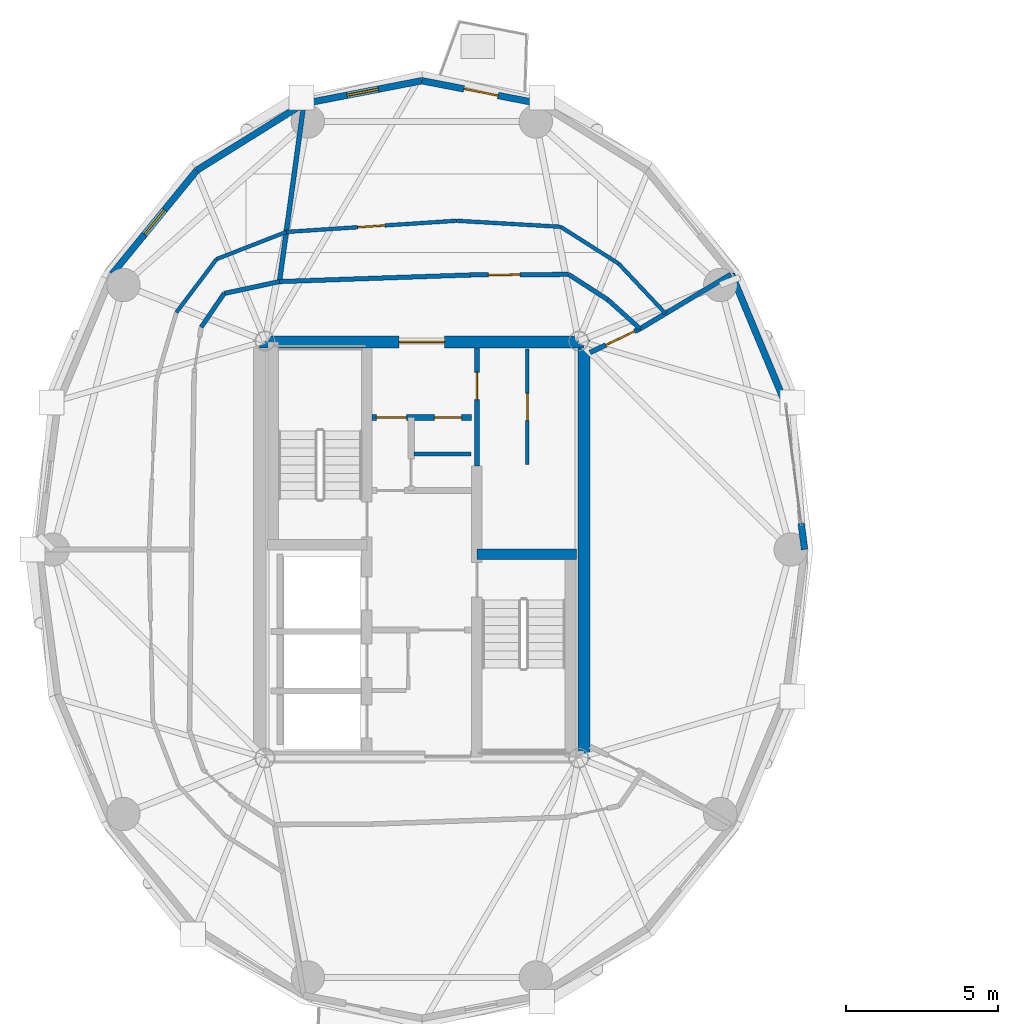
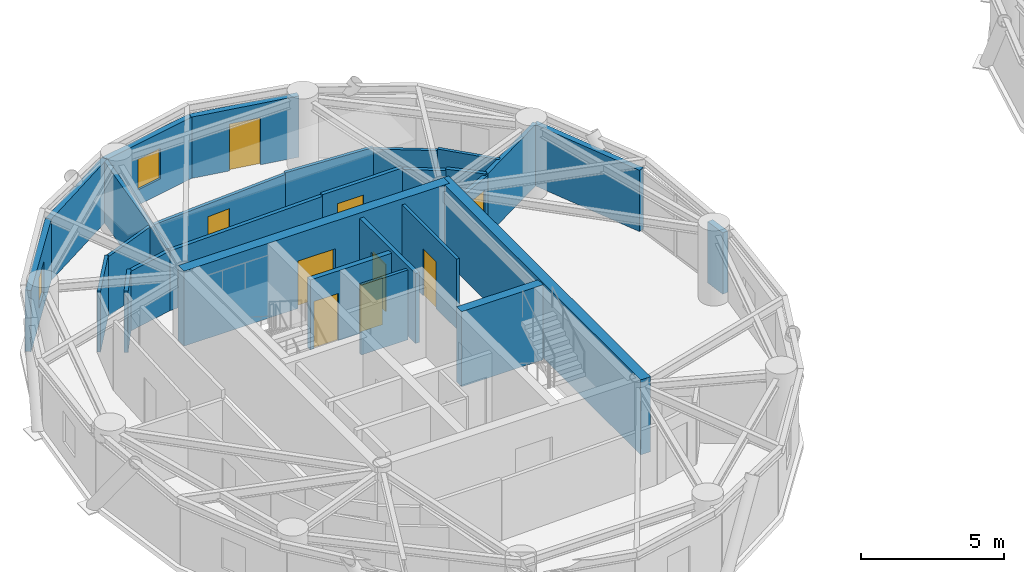
# One storey, part 9 of 16: 28 walls, 9 doors, 2 windows, 11 openings.
"""IFC4 building model written with IfcOpenShell, lengths in metres."""

from ifc_helpers import new_model, si_unit, direction, frame, frame_2d, origin, place, context, subcontext, project, spatial, rectangle, extrude, source, transform, mapped, material, layer, layer_set, type_object, element, fill, save


model = new_model("IFC4")

# Units and contexts
model_context = context("Model", 3, precision=1e-05, world=origin(), true_north=direction((0.0, 1.0)))
body_context = subcontext(model_context, "Body", "Model", "MODEL_VIEW")
ifc_project = project(units=[si_unit("LENGTHUNIT", "METRE"), si_unit("AREAUNIT", "SQUARE_METRE"), si_unit("VOLUMEUNIT", "CUBIC_METRE"), si_unit("PLANEANGLEUNIT", "RADIAN"), si_unit("MASSUNIT", "GRAM", prefix="KILO")], contexts=[model_context])

# Site, building, storey
site_placement = place(None, origin())
site = spatial("IfcSite", under=ifc_project, at=site_placement, CompositionType="ELEMENT")
building_placement = place(site_placement, origin())
building = spatial("IfcBuilding", under=site, at=building_placement, Name="Cununo Teusaquillo Station Towers", CompositionType="ELEMENT")
storey_placement = place(building_placement, frame((0.0, 0.0, 226.050048828125)))
storey = spatial("IfcBuildingStorey", under=building, at=storey_placement, Name="L72", CompositionType="ELEMENT", Elevation=226.050048828125)

# Walls
ifc_material_1 = material(Name="Concrete C50/60", Category="concrete")
ifc_layer_1 = layer(ifc_material_1, 0.35009765625)
ifc_layer_set_1 = layer_set([ifc_layer_1], Name="Concrete C50/60")
wall_type_1 = type_object("IfcWallType", Name="WL-CORE-350", PredefinedType="SHEAR", material=ifc_layer_set_1)
wall_1_placement = place(storey_placement, frame((18.31494140625, 24.344970703125, 0.0), z_axis=(0.0, 0.0, 1.0), x_axis=(1.0, 0.0, 0.0)))
element("IfcWall", 1, at=wall_1_placement, inside=storey, type_object=wall_type_1, Name="L72 Tower A Core Shear Wall ST2N", PredefinedType="SHEAR", context=body_context, shape_type="SweptSolid", body=[
    extrude(rectangle(XDim=3.28515625, YDim=0.35009765625, at=frame_2d((1.642578125, 0.0))), origin(), (0.0, 0.0, 1.0), 3.199951171875),
])
ifc_material_2 = material(Name="Concrete C50/60", Category="concrete")
ifc_layer_2 = layer(ifc_material_2, 0.39990234375)
ifc_layer_set_2 = layer_set([ifc_layer_2], Name="Concrete C50/60")
wall_type_2 = type_object("IfcWallType", Name="WL-CORE-400", PredefinedType="SHEAR", material=ifc_layer_set_2)
wall_2_placement = place(storey_placement, frame((21.85009765625, 17.449951171875, 0.0), z_axis=(0.0, 0.0, 1.0), x_axis=(0.0, 1.0, 0.0)))
element("IfcWall", 2, at=wall_2_placement, inside=storey, type_object=wall_type_2, Name="L72 Tower A Core Shear Wall E", PredefinedType="SHEAR", context=body_context, shape_type="SweptSolid", body=[
    extrude(rectangle(XDim=14.10009765625, YDim=0.39990234375, at=frame_2d((7.050048828125, 0.0))), origin(), (0.0, 0.0, 1.0), 3.199951171875),
])

# Wall, opening, door
wall_3_placement = place(storey_placement, frame((11.14990234375, 31.35009765625, 0.0), z_axis=(0.0, 0.0, 1.0), x_axis=(1.0, 0.0, 0.0)))
wall_3 = element("IfcWall", 3, at=wall_3_placement, inside=storey, type_object=wall_type_2, Name="L72 Tower A Core Shear Wall N", PredefinedType="SHEAR", context=body_context, shape_type="SweptSolid", body=[
    extrude(rectangle(XDim=10.7001953125, YDim=0.39990234375, at=frame_2d((5.35009765625, 0.0))), origin(), (0.0, 0.0, 1.0), 3.199951171875),
])
shared_shape_1 = source(origin(), body_context, "Body", "SweptSolid", [
    extrude(rectangle(XDim=1.5, YDim=2.02001953125, at=frame_2d((0.75, 1.010009765625))), frame((0.0, 0.2099609375, 0.0), z_axis=(0.0, -1.0, 0.0), x_axis=(1.0, 0.0, 0.0)), (0.0, 0.0, 1.0), 0.419921875),
])
opening_1_placement = place(wall_3_placement, frame((4.60009765625, 0.0, 0.0)))
opening_1 = element("IfcOpeningElement", 4, at=opening_1_placement, cuts=wall_3, Name="Opening D-LB1", PredefinedType="OPENING", context=body_context, shape_type="MappedRepresentation", body=[
    mapped(shared_shape_1, transform((0.0, 0.0, 0.0), x_axis=(1.0, 0.0, 0.0), y_axis=(0.0, 1.0, 0.0), z_axis=(0.0, 0.0, 1.0), scale=1.0)),
])
ifc_material_3 = material(Name="Galvanised fire-rated hollow steel door assembly", Category="steel")
door_type_1 = type_object("IfcDoorType", Name="DR-LOBBY-1500", OperationType="DOUBLE_DOOR_SINGLE_SWING", PredefinedType="DOOR", material=ifc_material_3)
shared_shape_2 = source(origin(), body_context, "Body", "SweptSolid", [
    extrude(rectangle(XDim=1.5, YDim=2.02001953125, at=frame_2d((0.75, 1.010009765625))), frame((0.0, 0.02490234375, 0.0), z_axis=(0.0, -1.0, 0.0), x_axis=(1.0, 0.0, 0.0)), (0.0, 0.0, 1.0), 0.050048828125),
])
door_1_placement = place(opening_1_placement, origin())
door_1 = element("IfcDoor", 5, at=door_1_placement, inside=storey, type_object=door_type_1, Name="L72 Tower A North Core Lift Lobby Door", OperationType="DOUBLE_DOOR_SINGLE_SWING", OverallHeight=2.02001953125, OverallWidth=1.5, PredefinedType="DOOR", context=body_context, shape_type="MappedRepresentation", body=[
    mapped(shared_shape_2, transform((0.0, 0.0, 0.0), x_axis=(1.0, 0.0, 0.0), y_axis=(0.0, 1.0, 0.0), z_axis=(0.0, 0.0, 1.0), scale=1.0)),
])
fill(opening_1, door_1)

# Walls
ifc_material_4 = material(Name="Precast concrete C40/50", Category="concrete")
ifc_layer_3 = layer(ifc_material_4, 0.219970703125)
ifc_layer_set_3 = layer_set([ifc_layer_3], Name="Precast concrete C40/50")
wall_type_3 = type_object("IfcWallType", Name="WL-EXT-220", PredefinedType="SOLIDWALL", material=ifc_layer_set_3)
wall_4_placement = place(storey_placement, frame((29.018310546875, 25.36279296875, 0.0), z_axis=(0.0, 0.0, 1.0), x_axis=(0.128247365719, -0.991742211054, 0.0)))
element("IfcWall", 6, at=wall_4_placement, inside=storey, type_object=wall_type_3, Name="L72 Tower A Column Pier Cladding Wall C00-PB", PredefinedType="SOLIDWALL", context=body_context, shape_type="SweptSolid", body=[
    extrude(rectangle(XDim=0.869873046875, YDim=0.219970703125, at=frame_2d((0.43505859375, 0.0))), origin(), (0.0, 0.0, 1.0), 2.612060546875),
])
wall_5_placement = place(storey_placement, frame((26.718017578125, 33.593017578125, 0.0), z_axis=(0.0, 0.0, 1.0), x_axis=(0.384036305194, -0.923317993052, 0.0)))
element("IfcWall", 7, at=wall_5_placement, inside=storey, type_object=wall_type_3, Name="L72 Tower A Exterior Facade Wall C01", PredefinedType="SOLIDWALL", context=body_context, shape_type="SweptSolid", body=[
    extrude(rectangle(XDim=4.670654296875, YDim=0.219970703125, at=frame_2d((2.33544921875, 0.0))), origin(), (0.0, 0.0, 1.0), 2.612060546875),
])

# Wall, opening, door
wall_6_placement = place(storey_placement, frame((16.5, 39.969970703125, 0.0), z_axis=(0.0, 0.0, 1.0), x_axis=(0.981700307484, -0.190432419211, 0.0)))
wall_6 = element("IfcWall", 8, at=wall_6_placement, inside=storey, type_object=wall_type_3, Name="L72 Tower A Exterior Facade Wall C04", PredefinedType="SOLIDWALL", context=body_context, shape_type="SweptSolid", body=[
    extrude(rectangle(XDim=3.9755859375, YDim=0.219970703125, at=frame_2d((1.98779296875, 0.0))), origin(), (0.0, 0.0, 1.0), 2.612060546875),
])
shared_shape_3 = source(origin(), body_context, "Body", "SweptSolid", [
    extrude(rectangle(XDim=1.14990234375, YDim=2.0048828125, at=frame_2d((0.574951171875, 1.00244140625))), frame((0.0, 0.119873046875, 0.0), z_axis=(0.0, -1.0, 0.0), x_axis=(1.0, 0.0, 0.0)), (0.0, 0.0, 1.0), 0.239990234375),
])
opening_2_placement = place(wall_6_placement, frame((1.4130859375, 0.0, 0.0)))
opening_2 = element("IfcOpeningElement", 9, at=opening_2_placement, cuts=wall_6, Name="Opening ED-03", PredefinedType="OPENING", context=body_context, shape_type="MappedRepresentation", body=[
    mapped(shared_shape_3, transform((0.0, 0.0, 0.0), x_axis=(1.0, 0.0, 0.0), y_axis=(0.0, 1.0, 0.0), z_axis=(0.0, 0.0, 1.0), scale=1.0)),
])
ifc_material_5 = material(Name="Anodised dark bronze aluminium EN AW-6063-T6", Category="aluminium")
door_type_2 = type_object("IfcDoorType", Name="DR-EXT-BAL", OperationType="NOTDEFINED", PredefinedType="DOOR", material=ifc_material_5)
shared_shape_4 = source(origin(), body_context, "Body", "SweptSolid", [
    extrude(rectangle(XDim=1.14990234375, YDim=2.0048828125, at=frame_2d((0.574951171875, 1.00244140625))), frame((0.0, 0.02490234375, 0.0), z_axis=(0.0, -1.0, 0.0), x_axis=(1.0, 0.0, 0.0)), (0.0, 0.0, 1.0), 0.050048828125),
])
door_2_placement = place(opening_2_placement, origin())
door_2 = element("IfcDoor", 10, at=door_2_placement, inside=storey, type_object=door_type_2, Name="L72 Tower A Tree Balcony Door C04", OperationType="SINGLE_SWING_LEFT", OverallHeight=2.0048828125, OverallWidth=1.14990234375, PredefinedType="DOOR", context=body_context, shape_type="MappedRepresentation", body=[
    mapped(shared_shape_4, transform((0.0, 0.0, 0.0), x_axis=(1.0, 0.0, 0.0), y_axis=(0.0, 1.0, 0.0), z_axis=(0.0, 0.0, 1.0), scale=1.0)),
])
fill(opening_2, door_2)

# Wall, opening, window
wall_7_placement = place(storey_placement, frame((12.59716796875, 39.212890625, 0.0), z_axis=(0.0, 0.0, 1.0), x_axis=(0.981700307484, 0.190432419211, 0.0)))
wall_7 = element("IfcWall", 11, at=wall_7_placement, inside=storey, type_object=wall_type_3, Name="L72 Tower A Exterior Facade Wall C05", PredefinedType="SOLIDWALL", context=body_context, shape_type="SweptSolid", body=[
    extrude(rectangle(XDim=3.9755859375, YDim=0.219970703125, at=frame_2d((1.98779296875, 0.0))), origin(), (0.0, 0.0, 1.0), 2.612060546875),
])
shared_shape_5 = source(origin(), body_context, "Body", "SweptSolid", [
    extrude(rectangle(XDim=1.050048828125, YDim=1.300048828125, at=frame_2d((0.52490234375, 0.64990234375))), frame((0.0, 0.119873046875, 0.0), z_axis=(0.0, -1.0, 0.0), x_axis=(1.0, 0.0, 0.0)), (0.0, 0.0, 1.0), 0.239990234375),
])
opening_3_placement = place(wall_7_placement, frame((1.462890625, 0.0, 0.64990234375)))
opening_3 = element("IfcOpeningElement", 12, at=opening_3_placement, cuts=wall_7, Name="Opening WN-04", PredefinedType="OPENING", context=body_context, shape_type="MappedRepresentation", body=[
    mapped(shared_shape_5, transform((0.0, 0.0, 0.0), x_axis=(1.0, 0.0, 0.0), y_axis=(0.0, 1.0, 0.0), z_axis=(0.0, 0.0, 1.0), scale=1.0)),
])
ifc_material_6 = material(Name="Operable acoustic tinted low-E double glazing", Category="glass")
window_type = type_object("IfcWindowType", Name="WIN-BAL-1050", PartitioningType="SINGLE_PANEL", PredefinedType="WINDOW", material=ifc_material_6)
shared_shape_6 = source(origin(), body_context, "Body", "SweptSolid", [
    extrude(rectangle(XDim=1.050048828125, YDim=1.300048828125, at=frame_2d((0.52490234375, 0.64990234375))), frame((0.0, 0.030029296875, 0.0), z_axis=(0.0, -1.0, 0.0), x_axis=(1.0, 0.0, 0.0)), (0.0, 0.0, 1.0), 0.06005859375),
])
window_1_placement = place(opening_3_placement, origin())
window_1 = element("IfcWindow", 13, at=window_1_placement, inside=storey, type_object=window_type, Name="L72 Tower A Facade Window C05", OverallHeight=1.300048828125, OverallWidth=1.050048828125, PartitioningType="SINGLE_PANEL", PredefinedType="WINDOW", context=body_context, shape_type="MappedRepresentation", body=[
    mapped(shared_shape_6, transform((0.0, 0.0, 0.0), x_axis=(1.0, 0.0, 0.0), y_axis=(0.0, 1.0, 0.0), z_axis=(0.0, 0.0, 1.0), scale=1.0)),
])
fill(opening_3, window_1)

# Wall
wall_8_placement = place(storey_placement, frame((9.076416015625, 37.015380859375, 0.0), z_axis=(0.0, 0.0, 1.0), x_axis=(0.848318713376, 0.529485939886, 0.0)))
element("IfcWall", 14, at=wall_8_placement, inside=storey, type_object=wall_type_3, Name="L72 Tower A Exterior Facade Wall C06", PredefinedType="SOLIDWALL", context=body_context, shape_type="SweptSolid", body=[
    extrude(rectangle(XDim=4.150390625, YDim=0.219970703125, at=frame_2d((2.0751953125, 0.0))), origin(), (0.0, 0.0, 1.0), 2.612060546875),
])

# Wall, opening, window
wall_9_placement = place(storey_placement, frame((6.281982421875, 33.593017578125, 0.0), z_axis=(0.0, 0.0, 1.0), x_axis=(0.632467166636, 0.774587169483, 0.0)))
wall_9 = element("IfcWall", 15, at=wall_9_placement, inside=storey, type_object=wall_type_3, Name="L72 Tower A Exterior Facade Wall C07", PredefinedType="SOLIDWALL", context=body_context, shape_type="SweptSolid", body=[
    extrude(rectangle(XDim=4.418212890625, YDim=0.219970703125, at=frame_2d((2.208984375, 0.0))), origin(), (0.0, 0.0, 1.0), 2.612060546875),
])
opening_4_placement = place(wall_9_placement, frame((1.68408203125, 0.0, 0.64990234375)))
opening_4 = element("IfcOpeningElement", 16, at=opening_4_placement, cuts=wall_9, Name="Opening WN-04", PredefinedType="OPENING", context=body_context, shape_type="MappedRepresentation", body=[
    mapped(shared_shape_5, transform((0.0, 0.0, 0.0), x_axis=(1.0, 0.0, 0.0), y_axis=(0.0, 1.0, 0.0), z_axis=(0.0, 0.0, 1.0), scale=1.0)),
])
window_2_placement = place(opening_4_placement, origin())
window_2 = element("IfcWindow", 17, at=window_2_placement, inside=storey, type_object=window_type, Name="L72 Tower A Facade Window C07", OverallHeight=1.300048828125, OverallWidth=1.050048828125, PartitioningType="SINGLE_PANEL", PredefinedType="WINDOW", context=body_context, shape_type="MappedRepresentation", body=[
    mapped(shared_shape_6, transform((0.0, 0.0, 0.0), x_axis=(1.0, 0.0, 0.0), y_axis=(0.0, 1.0, 0.0), z_axis=(0.0, 0.0, 1.0), scale=1.0)),
])
fill(opening_4, window_2)

# Wall
ifc_material_7 = material(Name="Fire-rated gypsum plasterboard partition assembly", Category="gypsum")
ifc_layer_4 = layer(ifc_material_7, 0.125)
ifc_layer_set_4 = layer_set([ifc_layer_4], Name="Fire-rated gypsum plasterboard partition assembly")
wall_type_4 = type_object("IfcWallType", Name="WL-PART-125", PredefinedType="PARTITIONING", material=ifc_layer_set_4)
wall_10_placement = place(storey_placement, frame((16.239990234375, 27.64990234375, 0.0), z_axis=(0.0, 0.0, 1.0), x_axis=(1.0, 0.0, 0.0)))
element("IfcWall", 18, at=wall_10_placement, inside=storey, type_object=wall_type_4, Name="L72 Tower A Core Horizontal Split Wall", PredefinedType="PARTITIONING", context=body_context, shape_type="SweptSolid", body=[
    extrude(rectangle(XDim=1.880126953125, YDim=0.125, at=frame_2d((0.93994140625, 0.0))), origin(), (0.0, 0.0, 1.0), 2.974853515625),
])

# Wall, opening, door
wall_11_placement = place(storey_placement, frame((19.97998046875, 27.300048828125, 0.0), z_axis=(0.0, 0.0, 1.0), x_axis=(0.0, 1.0, 0.0)))
wall_11 = element("IfcWall", 19, at=wall_11_placement, inside=storey, type_object=wall_type_4, Name="L72 Tower A Reclaimed Bay Vertical Split Wall", PredefinedType="PARTITIONING", context=body_context, shape_type="SweptSolid", body=[
    extrude(rectangle(XDim=3.820068359375, YDim=0.125, at=frame_2d((1.91015625, 0.0))), origin(), (0.0, 0.0, 1.0), 2.974853515625),
])
shared_shape_7 = source(origin(), body_context, "Body", "SweptSolid", [
    extrude(rectangle(XDim=0.89990234375, YDim=2.0048828125, at=frame_2d((0.449951171875, 1.00244140625))), frame((0.0, 0.072509765625, 0.0), z_axis=(0.0, -1.0, 0.0), x_axis=(1.0, 0.0, 0.0)), (0.0, 0.0, 1.0), 0.14501953125),
])
opening_5_placement = place(wall_11_placement, frame((1.449951171875, 0.0, 0.0)))
opening_5 = element("IfcOpeningElement", 20, at=opening_5_placement, cuts=wall_11, Name="Opening D-IN1", PredefinedType="OPENING", context=body_context, shape_type="MappedRepresentation", body=[
    mapped(shared_shape_7, transform((0.0, 0.0, 0.0), x_axis=(1.0, 0.0, 0.0), y_axis=(0.0, 1.0, 0.0), z_axis=(0.0, 0.0, 1.0), scale=1.0)),
])
ifc_material_8 = material(Name="Acoustic solid-core hardwood leaf assembly", Category="wood")
door_type_3 = type_object("IfcDoorType", Name="DR-INT-900", OperationType="NOTDEFINED", PredefinedType="DOOR", material=ifc_material_8)
shared_shape_8 = source(origin(), body_context, "Body", "SweptSolid", [
    extrude(rectangle(XDim=0.89990234375, YDim=2.0048828125, at=frame_2d((0.449951171875, 1.00244140625))), frame((0.0, 0.02490234375, 0.0), z_axis=(0.0, -1.0, 0.0), x_axis=(1.0, 0.0, 0.0)), (0.0, 0.0, 1.0), 0.050048828125),
])
door_3_placement = place(opening_5_placement, origin())
door_3 = element("IfcDoor", 21, at=door_3_placement, inside=storey, type_object=door_type_3, Name="L72 Tower A Reclaimed Acoustic Booth Door", OperationType="SINGLE_SWING_RIGHT", OverallHeight=2.0048828125, OverallWidth=0.89990234375, PredefinedType="DOOR", context=body_context, shape_type="MappedRepresentation", body=[
    mapped(shared_shape_8, transform((0.0, 0.0, 0.0), x_axis=(1.0, 0.0, 0.0), y_axis=(0.0, 1.0, 0.0), z_axis=(0.0, 0.0, 1.0), scale=1.0)),
])
fill(opening_5, door_3)

# Walls
wall_12_placement = place(storey_placement, frame((24.54150390625, 32.288330078125, 0.0), z_axis=(0.0, 0.0, 1.0), x_axis=(-0.68501091047, 0.72853280814, 0.0)))
element("IfcWall", 22, at=wall_12_placement, inside=storey, type_object=wall_type_4, Name="L72 Tower A 300-Metre Panoramic Dining Hall Concentric Partition Wall C02", PredefinedType="PARTITIONING", context=body_context, shape_type="SweptSolid", body=[
    extrude(rectangle(XDim=2.2607421875, YDim=0.125, at=frame_2d((1.13037109375, 0.0))), origin(), (0.0, 0.0, 1.0), 2.612060546875),
])
wall_13_placement = place(storey_placement, frame((22.992919921875, 33.935302734375, 0.0), z_axis=(0.0, 0.0, 1.0), x_axis=(-0.844312558894, 0.535851008112, 0.0)))
element("IfcWall", 23, at=wall_13_placement, inside=storey, type_object=wall_type_4, Name="L72 Tower A 300-Metre Panoramic Dining Hall Concentric Partition Wall C03", PredefinedType="PARTITIONING", context=body_context, shape_type="SweptSolid", body=[
    extrude(rectangle(XDim=2.267578125, YDim=0.125, at=frame_2d((1.1337890625, 0.0))), origin(), (0.0, 0.0, 1.0), 2.544921875),
])
wall_14_placement = place(storey_placement, frame((21.078369140625, 35.150390625, 0.0), z_axis=(0.0, 0.0, 1.0), x_axis=(-0.99833900121, 0.057612834184, 0.0)))
element("IfcWall", 24, at=wall_14_placement, inside=storey, type_object=wall_type_4, Name="L72 Tower A 300-Metre Panoramic Dining Hall Concentric Partition Wall C04", PredefinedType="PARTITIONING", context=body_context, shape_type="SweptSolid", body=[
    extrude(rectangle(XDim=3.445068359375, YDim=0.125, at=frame_2d((1.72265625, 0.0))), origin(), (0.0, 0.0, 1.0), 2.612060546875),
])

# Wall, opening, door
wall_15_placement = place(storey_placement, frame((17.638916015625, 35.348876953125, 0.0), z_axis=(0.0, 0.0, 1.0), x_axis=(-0.997849042159, -0.065553711275, 0.0)))
wall_15 = element("IfcWall", 25, at=wall_15_placement, inside=storey, type_object=wall_type_4, Name="L72 Tower A 300-Metre Panoramic Dining Hall Concentric Partition Wall C05", PredefinedType="PARTITIONING", context=body_context, shape_type="SweptSolid", body=[
    extrude(rectangle(XDim=5.623779296875, YDim=0.125, at=frame_2d((2.81201171875, 0.0))), origin(), (0.0, 0.0, 1.0), 2.544921875),
])
opening_6_placement = place(wall_15_placement, frame((2.36181640625, 0.0, 0.0)))
opening_6 = element("IfcOpeningElement", 26, at=opening_6_placement, cuts=wall_15, Name="Opening D-IN1", PredefinedType="OPENING", context=body_context, shape_type="MappedRepresentation", body=[
    mapped(shared_shape_7, transform((0.0, 0.0, 0.0), x_axis=(1.0, 0.0, 0.0), y_axis=(0.0, 1.0, 0.0), z_axis=(0.0, 0.0, 1.0), scale=1.0)),
])
door_4_placement = place(opening_6_placement, origin())
door_4 = element("IfcDoor", 27, at=door_4_placement, inside=storey, type_object=door_type_3, Name="L72 Tower A 300-Metre Panoramic Dining Hall Connecting Door", OperationType="SINGLE_SWING_RIGHT", OverallHeight=2.0048828125, OverallWidth=0.89990234375, PredefinedType="DOOR", context=body_context, shape_type="MappedRepresentation", body=[
    mapped(shared_shape_8, transform((0.0, 0.0, 0.0), x_axis=(1.0, 0.0, 0.0), y_axis=(0.0, 1.0, 0.0), z_axis=(0.0, 0.0, 1.0), scale=1.0)),
])
fill(opening_6, door_4)

# Walls
wall_16_placement = place(storey_placement, frame((12.02734375, 34.980224609375, 0.0), z_axis=(0.0, 0.0, 1.0), x_axis=(-0.931701760683, -0.363224213317, 0.0)))
element("IfcWall", 28, at=wall_16_placement, inside=storey, type_object=wall_type_4, Name="L72 Tower A Chef Tasting Counter & Wine Vault Concentric Partition Wall C06", PredefinedType="PARTITIONING", context=body_context, shape_type="SweptSolid", body=[
    extrude(rectangle(XDim=2.468017578125, YDim=0.125, at=frame_2d((1.23388671875, 0.0))), origin(), (0.0, 0.0, 1.0), 2.544921875),
])
wall_17_placement = place(storey_placement, frame((9.727783203125, 34.083740234375, 0.0), z_axis=(0.0, 0.0, 1.0), x_axis=(-0.602426891997, -0.798174066103, 0.0)))
element("IfcWall", 29, at=wall_17_placement, inside=storey, type_object=wall_type_4, Name="L72 Tower A Chef Tasting Counter & Wine Vault Concentric Partition Wall C07", PredefinedType="PARTITIONING", context=body_context, shape_type="SweptSolid", body=[
    extrude(rectangle(XDim=2.20263671875, YDim=0.125, at=frame_2d((1.101318359375, 0.0))), origin(), (0.0, 0.0, 1.0), 2.612060546875),
])
ifc_material_9 = material(Name="Fire-rated gypsum plasterboard partition assembly", Category="gypsum")
ifc_layer_5 = layer(ifc_material_9, 0.14990234375)
ifc_layer_set_5 = layer_set([ifc_layer_5], Name="Fire-rated gypsum plasterboard partition assembly")
wall_type_5 = type_object("IfcWallType", Name="WL-PART-150", PredefinedType="PARTITIONING", material=ifc_layer_set_5)
wall_18_placement = place(storey_placement, frame((23.701416015625, 31.78564453125, 0.0), z_axis=(0.0, 0.0, 1.0), x_axis=(-0.743742806382, 0.668465883913, 0.0)))
element("IfcWall", 30, at=wall_18_placement, inside=storey, type_object=wall_type_5, Name="L72 Tower A Corridor Ring Wall C02", PredefinedType="PARTITIONING", context=body_context, shape_type="SweptSolid", body=[
    extrude(rectangle(XDim=1.43359375, YDim=0.14990234375, at=frame_2d((0.716796875, 0.0))), origin(), (0.0, 0.0, 1.0), 2.612060546875),
])
wall_19_placement = place(storey_placement, frame((22.63525390625, 32.743896484375, 0.0), z_axis=(0.0, 0.0, 1.0), x_axis=(-0.840119270642, 0.542401706391, 0.0)))
element("IfcWall", 31, at=wall_19_placement, inside=storey, type_object=wall_type_5, Name="L72 Tower A Corridor Ring Wall C03", PredefinedType="PARTITIONING", context=body_context, shape_type="SweptSolid", body=[
    extrude(rectangle(XDim=1.53759765625, YDim=0.14990234375, at=frame_2d((0.768798828125, 0.0))), origin(), (0.0, 0.0, 1.0), 2.544921875),
])

# Wall, opening, door
wall_20_placement = place(storey_placement, frame((21.343505859375, 33.577880859375, 0.0), z_axis=(0.0, 0.0, 1.0), x_axis=(-0.999984243152, -0.005613684, 0.0)))
wall_20 = element("IfcWall", 32, at=wall_20_placement, inside=storey, type_object=wall_type_5, Name="L72 Tower A Corridor Ring Wall C04", PredefinedType="PARTITIONING", context=body_context, shape_type="SweptSolid", body=[
    extrude(rectangle(XDim=3.26171875, YDim=0.14990234375, at=frame_2d((1.630859375, 0.0))), origin(), (0.0, 0.0, 1.0), 2.612060546875),
])
shared_shape_9 = source(origin(), body_context, "Body", "SweptSolid", [
    extrude(rectangle(XDim=1.050048828125, YDim=2.014892578125, at=frame_2d((0.52490234375, 1.00732421875))), frame((0.0, 0.0849609375, 0.0), z_axis=(0.0, -1.0, 0.0), x_axis=(1.0, 0.0, 0.0)), (0.0, 0.0, 1.0), 0.169921875),
])
opening_7_placement = place(wall_20_placement, frame((1.598876953125, 0.0, 0.0)))
opening_7 = element("IfcOpeningElement", 33, at=opening_7_placement, cuts=wall_20, Name="Opening D-SU1", PredefinedType="OPENING", context=body_context, shape_type="MappedRepresentation", body=[
    mapped(shared_shape_9, transform((0.0, 0.0, 0.0), x_axis=(1.0, 0.0, 0.0), y_axis=(0.0, 1.0, 0.0), z_axis=(0.0, 0.0, 1.0), scale=1.0)),
])
ifc_material_10 = material(Name="Acoustic solid-core hardwood leaf assembly", Category="wood")
door_type_4 = type_object("IfcDoorType", Name="DR-SUITE-1050", OperationType="NOTDEFINED", PredefinedType="DOOR", material=ifc_material_10)
shared_shape_10 = source(origin(), body_context, "Body", "SweptSolid", [
    extrude(rectangle(XDim=1.050048828125, YDim=2.014892578125, at=frame_2d((0.52490234375, 1.00732421875))), frame((0.0, 0.02490234375, 0.0), z_axis=(0.0, -1.0, 0.0), x_axis=(1.0, 0.0, 0.0)), (0.0, 0.0, 1.0), 0.050048828125),
])
door_5_placement = place(opening_7_placement, origin())
door_5 = element("IfcDoor", 34, at=door_5_placement, inside=storey, type_object=door_type_4, Name="L72 Tower A 300-Metre Panoramic Dining Hall Entrance Door", OperationType="SINGLE_SWING_LEFT", OverallHeight=2.014892578125, OverallWidth=1.050048828125, PredefinedType="DOOR", context=body_context, shape_type="MappedRepresentation", body=[
    mapped(shared_shape_10, transform((0.0, 0.0, 0.0), x_axis=(1.0, 0.0, 0.0), y_axis=(0.0, 1.0, 0.0), z_axis=(0.0, 0.0, 1.0), scale=1.0)),
])
fill(opening_7, door_5)

# Walls
wall_21_placement = place(storey_placement, frame((18.081787109375, 33.5595703125, 0.0), z_axis=(0.0, 0.0, 1.0), x_axis=(-0.999399009709, -0.034664382185, 0.0)))
element("IfcWall", 35, at=wall_21_placement, inside=storey, type_object=wall_type_5, Name="L72 Tower A Corridor Ring Wall C05", PredefinedType="PARTITIONING", context=body_context, shape_type="SweptSolid", body=[
    extrude(rectangle(XDim=6.2822265625, YDim=0.14990234375, at=frame_2d((3.14111328125, 0.0))), origin(), (0.0, 0.0, 1.0), 2.544921875),
])
wall_22_placement = place(storey_placement, frame((11.80322265625, 33.341796875, 0.0), z_axis=(0.0, 0.0, 1.0), x_axis=(-0.977750742783, -0.209770076483, 0.0)))
element("IfcWall", 36, at=wall_22_placement, inside=storey, type_object=wall_type_5, Name="L72 Tower A Corridor Ring Wall C06", PredefinedType="PARTITIONING", context=body_context, shape_type="SweptSolid", body=[
    extrude(rectangle(XDim=1.867919921875, YDim=0.14990234375, at=frame_2d((0.93408203125, 0.0))), origin(), (0.0, 0.0, 1.0), 2.544921875),
])
wall_23_placement = place(storey_placement, frame((9.976806640625, 32.949951171875, 0.0), z_axis=(0.0, 0.0, 1.0), x_axis=(-0.563291804539, -0.826258036535, 0.0)))
element("IfcWall", 37, at=wall_23_placement, inside=storey, type_object=wall_type_5, Name="L72 Tower A Corridor Ring Wall C07", PredefinedType="PARTITIONING", context=body_context, shape_type="SweptSolid", body=[
    extrude(rectangle(XDim=1.34619140625, YDim=0.14990234375, at=frame_2d((0.673095703125, 0.0))), origin(), (0.0, 0.0, 1.0), 2.612060546875),
])

# Wall, opening, door
ifc_material_11 = material(Name="Fire-rated gypsum plasterboard partition assembly", Category="gypsum")
ifc_layer_6 = layer(ifc_material_11, 0.159912109375)
ifc_layer_set_6 = layer_set([ifc_layer_6], Name="Fire-rated gypsum plasterboard partition assembly")
wall_type_6 = type_object("IfcWallType", Name="WL-PART-160", PredefinedType="PARTITIONING", material=ifc_layer_set_6)
wall_24_placement = place(storey_placement, frame((18.31494140625, 27.25, 0.0), z_axis=(0.0, 0.0, 1.0), x_axis=(0.0, 1.0, 0.0)))
wall_24 = element("IfcWall", 38, at=wall_24_placement, inside=storey, type_object=wall_type_6, Name="L72 Tower A Reclaimed Core Bay Entry Wall", PredefinedType="PARTITIONING", context=body_context, shape_type="SweptSolid", body=[
    extrude(rectangle(XDim=3.89990234375, YDim=0.159912109375, at=frame_2d((1.949951171875, 0.0))), origin(), (0.0, 0.0, 1.0), 2.974853515625),
])
shared_shape_11 = source(origin(), body_context, "Body", "SweptSolid", [
    extrude(rectangle(XDim=0.89990234375, YDim=2.0048828125, at=frame_2d((0.449951171875, 1.00244140625))), frame((0.0, 0.08984375, 0.0), z_axis=(0.0, -1.0, 0.0), x_axis=(1.0, 0.0, 0.0)), (0.0, 0.0, 1.0), 0.179931640625),
])
opening_8_placement = place(wall_24_placement, frame((2.199951171875, 0.0, 0.0)))
opening_8 = element("IfcOpeningElement", 39, at=opening_8_placement, cuts=wall_24, Name="Opening D-IN1", PredefinedType="OPENING", context=body_context, shape_type="MappedRepresentation", body=[
    mapped(shared_shape_11, transform((0.0, 0.0, 0.0), x_axis=(1.0, 0.0, 0.0), y_axis=(0.0, 1.0, 0.0), z_axis=(0.0, 0.0, 1.0), scale=1.0)),
])
door_6_placement = place(opening_8_placement, origin())
door_6 = element("IfcDoor", 40, at=door_6_placement, inside=storey, type_object=door_type_3, Name="L72 Tower A Reclaimed Meeting Room Door", OperationType="SINGLE_SWING_LEFT", OverallHeight=2.0048828125, OverallWidth=0.89990234375, PredefinedType="DOOR", context=body_context, shape_type="MappedRepresentation", body=[
    mapped(shared_shape_8, transform((0.0, 0.0, 0.0), x_axis=(1.0, 0.0, 0.0), y_axis=(0.0, 1.0, 0.0), z_axis=(0.0, 0.0, 1.0), scale=1.0)),
])
fill(opening_8, door_6)

# Walls
wall_25_placement = place(storey_placement, frame((23.701416015625, 31.78564453125, 0.0), z_axis=(0.0, 0.0, 1.0), x_axis=(0.858059206709, 0.513550774298, 0.0)))
element("IfcWall", 41, at=wall_25_placement, inside=storey, type_object=wall_type_6, Name="L72 Tower A Radial Suite Partition R01", PredefinedType="PARTITIONING", context=body_context, shape_type="SweptSolid", body=[
    extrude(rectangle(XDim=3.49658203125, YDim=0.159912109375, at=frame_2d((1.748291015625, 0.0))), origin(), (0.0, 0.0, 1.0), 2.612060546875),
])
wall_26_placement = place(storey_placement, frame((11.80322265625, 33.341796875, 0.0), z_axis=(0.0, 0.0, 1.0), x_axis=(0.135452591041, 0.990783828885, 0.0)))
element("IfcWall", 42, at=wall_26_placement, inside=storey, type_object=wall_type_6, Name="L72 Tower A Radial Suite Partition R02", PredefinedType="PARTITIONING", context=body_context, shape_type="SweptSolid", body=[
    extrude(rectangle(XDim=5.906494140625, YDim=0.159912109375, at=frame_2d((2.953125, 0.0))), origin(), (0.0, 0.0, 1.0), 2.612060546875),
])

# Wall, opening, door
wall_27_placement = place(storey_placement, frame((22.050048828125, 31.0, 0.0), z_axis=(0.0, 0.0, 1.0), x_axis=(0.903013459407, 0.429612257891, 0.0)))
wall_27 = element("IfcWall", 43, at=wall_27_placement, inside=storey, type_object=wall_type_6, Name="L72 Tower A East Salon Corridor Portal Wall NE", PredefinedType="PARTITIONING", context=body_context, shape_type="SweptSolid", body=[
    extrude(rectangle(XDim=1.82861328125, YDim=0.159912109375, at=frame_2d((0.914306640625, 0.0))), origin(), (0.0, 0.0, 1.0), 2.544921875),
])
shared_shape_12 = source(origin(), body_context, "Body", "SweptSolid", [
    extrude(rectangle(XDim=1.050048828125, YDim=2.014892578125, at=frame_2d((0.52490234375, 1.00732421875))), frame((0.0, 0.08984375, 0.0), z_axis=(0.0, -1.0, 0.0), x_axis=(1.0, 0.0, 0.0)), (0.0, 0.0, 1.0), 0.179931640625),
])
opening_9_placement = place(wall_27_placement, frame((0.57861328125, 0.0, 0.0)))
opening_9 = element("IfcOpeningElement", 44, at=opening_9_placement, cuts=wall_27, Name="Opening D-SU1", PredefinedType="OPENING", context=body_context, shape_type="MappedRepresentation", body=[
    mapped(shared_shape_12, transform((0.0, 0.0, 0.0), x_axis=(1.0, 0.0, 0.0), y_axis=(0.0, 1.0, 0.0), z_axis=(0.0, 0.0, 1.0), scale=1.0)),
])
door_7_placement = place(opening_9_placement, origin())
door_7 = element("IfcDoor", 45, at=door_7_placement, inside=storey, type_object=door_type_4, Name="L72 Tower A East Panorama Sky Salon Door NE", OperationType="SINGLE_SWING_LEFT", OverallHeight=2.014892578125, OverallWidth=1.050048828125, PredefinedType="DOOR", context=body_context, shape_type="MappedRepresentation", body=[
    mapped(shared_shape_10, transform((0.0, 0.0, 0.0), x_axis=(1.0, 0.0, 0.0), y_axis=(0.0, 1.0, 0.0), z_axis=(0.0, 0.0, 1.0), scale=1.0)),
])
fill(opening_9, door_7)

# Wall, openings, doors
ifc_material_12 = material(Name="Fire-rated gypsum plasterboard partition assembly", Category="gypsum")
ifc_layer_7 = layer(ifc_material_12, 0.199951171875)
ifc_layer_set_7 = layer_set([ifc_layer_7], Name="Fire-rated gypsum plasterboard partition assembly")
wall_type_7 = type_object("IfcWallType", Name="WL-PART-200", PredefinedType="PARTITIONING", material=ifc_layer_set_7)
wall_28_placement = place(storey_placement, frame((14.860107421875, 28.85009765625, 0.0), z_axis=(0.0, 0.0, 1.0), x_axis=(1.0, 0.0, 0.0)))
wall_28 = element("IfcWall", 46, at=wall_28_placement, inside=storey, type_object=wall_type_7, Name="L72 Tower A North Lift Lobby South Fire Wall", PredefinedType="PARTITIONING", context=body_context, shape_type="SweptSolid", body=[
    extrude(rectangle(XDim=3.27978515625, YDim=0.199951171875, at=frame_2d((1.639892578125, 0.0))), origin(), (0.0, 0.0, 1.0), 2.974853515625),
])
shared_shape_13 = source(origin(), body_context, "Body", "SweptSolid", [
    extrude(rectangle(XDim=1.0, YDim=2.014892578125, at=frame_2d((0.5, 1.00732421875))), frame((0.0, 0.10986328125, 0.0), z_axis=(0.0, -1.0, 0.0), x_axis=(1.0, 0.0, 0.0)), (0.0, 0.0, 1.0), 0.219970703125),
])
opening_10_placement = place(wall_28_placement, frame((0.139892578125, 0.0, 0.0)))
opening_10 = element("IfcOpeningElement", 47, at=opening_10_placement, cuts=wall_28, Name="Opening D-AC1", PredefinedType="OPENING", context=body_context, shape_type="MappedRepresentation", body=[
    mapped(shared_shape_13, transform((0.0, 0.0, 0.0), x_axis=(1.0, 0.0, 0.0), y_axis=(0.0, 1.0, 0.0), z_axis=(0.0, 0.0, 1.0), scale=1.0)),
])
shared_shape_14 = source(origin(), body_context, "Body", "SweptSolid", [
    extrude(rectangle(XDim=0.89990234375, YDim=2.0048828125, at=frame_2d((0.449951171875, 1.00244140625))), frame((0.0, 0.10986328125, 0.0), z_axis=(0.0, -1.0, 0.0), x_axis=(1.0, 0.0, 0.0)), (0.0, 0.0, 1.0), 0.219970703125),
])
opening_11_placement = place(wall_28_placement, frame((2.050048828125, 0.0, 0.0)))
opening_11 = element("IfcOpeningElement", 48, at=opening_11_placement, cuts=wall_28, Name="Opening D-SR1", PredefinedType="OPENING", context=body_context, shape_type="MappedRepresentation", body=[
    mapped(shared_shape_14, transform((0.0, 0.0, 0.0), x_axis=(1.0, 0.0, 0.0), y_axis=(0.0, 1.0, 0.0), z_axis=(0.0, 0.0, 1.0), scale=1.0)),
])
ifc_material_13 = material(Name="Galvanised fire-rated hollow steel door assembly", Category="steel")
door_type_5 = type_object("IfcDoorType", Name="DR-STORE-900", OperationType="NOTDEFINED", PredefinedType="DOOR", material=ifc_material_13)
door_8_placement = place(opening_11_placement, origin())
door_8 = element("IfcDoor", 49, at=door_8_placement, inside=storey, type_object=door_type_5, Name="L72 Tower A Core Comms Room Door", OperationType="SINGLE_SWING_RIGHT", OverallHeight=2.0048828125, OverallWidth=0.89990234375, PredefinedType="DOOR", context=body_context, shape_type="MappedRepresentation", body=[
    mapped(shared_shape_8, transform((0.0, 0.0, 0.0), x_axis=(1.0, 0.0, 0.0), y_axis=(0.0, 1.0, 0.0), z_axis=(0.0, 0.0, 1.0), scale=1.0)),
])
fill(opening_11, door_8)
ifc_material_14 = material(Name="Acoustic solid-core hardwood leaf assembly", Category="wood")
door_type_6 = type_object("IfcDoorType", Name="DR-ACC-1000", OperationType="NOTDEFINED", PredefinedType="DOOR", material=ifc_material_14)
shared_shape_15 = source(origin(), body_context, "Body", "SweptSolid", [
    extrude(rectangle(XDim=1.0, YDim=2.014892578125, at=frame_2d((0.5, 1.00732421875))), frame((0.0, 0.02490234375, 0.0), z_axis=(0.0, -1.0, 0.0), x_axis=(1.0, 0.0, 0.0)), (0.0, 0.0, 1.0), 0.050048828125),
])
door_9_placement = place(opening_10_placement, origin())
door_9 = element("IfcDoor", 50, at=door_9_placement, inside=storey, type_object=door_type_6, Name="L72 Tower A North Lift Lobby to Stair 1 Vestibule Door", OperationType="SINGLE_SWING_LEFT", OverallHeight=2.014892578125, OverallWidth=1.0, PredefinedType="DOOR", context=body_context, shape_type="MappedRepresentation", body=[
    mapped(shared_shape_15, transform((0.0, 0.0, 0.0), x_axis=(1.0, 0.0, 0.0), y_axis=(0.0, 1.0, 0.0), z_axis=(0.0, 0.0, 1.0), scale=1.0)),
])
fill(opening_10, door_9)

save(model, "model.ifc")
